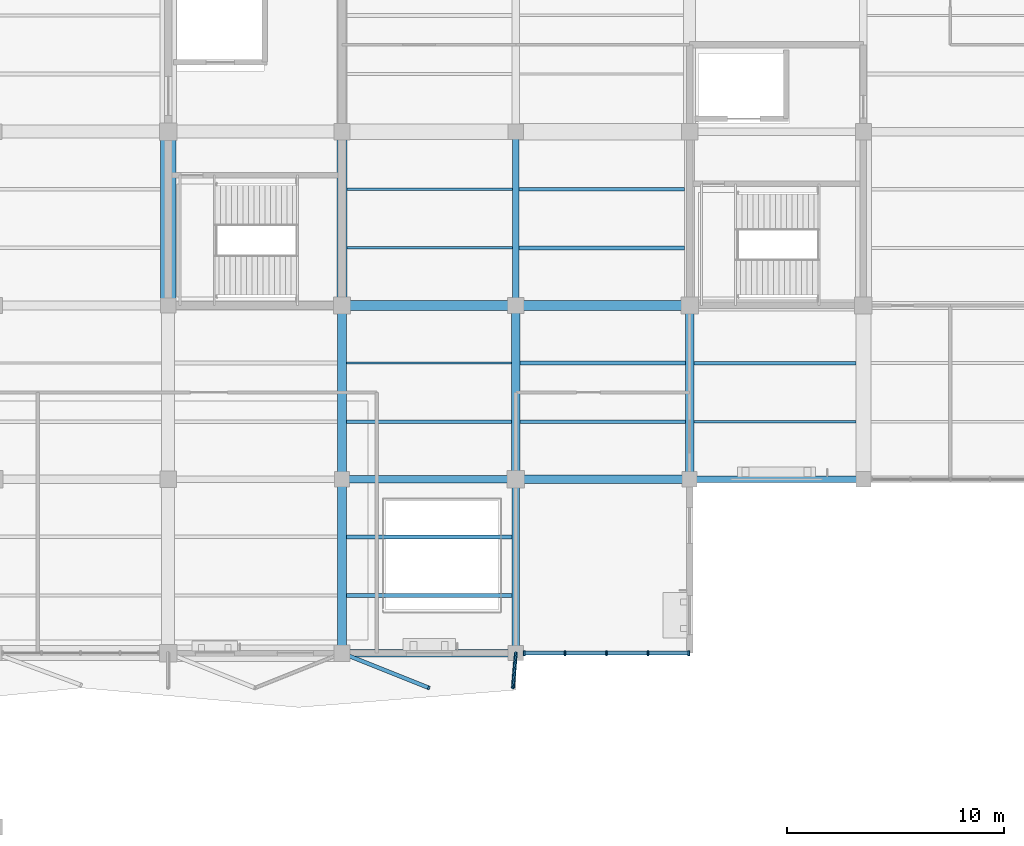
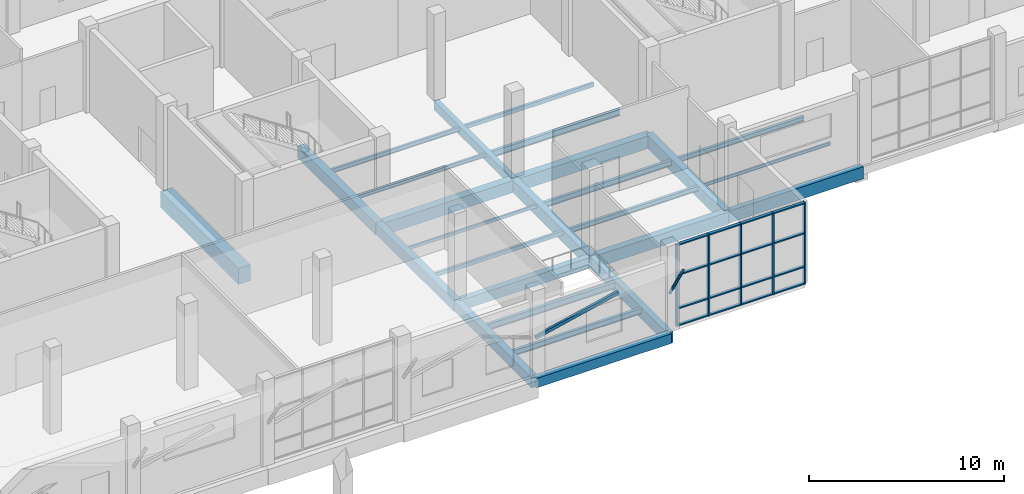
# One storey, part 34 of 122: 26 beams, 23 members, 1 element without a shape of its own.
"""IFC4 building model written with IfcOpenShell, lengths in metres."""

from ifc_helpers import new_model, si_unit, direction, frame, origin, origin_2d, place, context, subcontext, project, spatial, rectangle, hollow_rectangle, hollow_circle, i_section, extrude, material, material_profile, profile_set, type_object, element, aggregate, save


model = new_model("IFC4")

# Units and contexts
model_context = context("Model", 3, precision=1e-05, world=origin(), true_north=direction((0.0, 1.0)))
body_context = subcontext(model_context, "Body", "Model", "MODEL_VIEW")
ifc_project = project(units=[si_unit("LENGTHUNIT", "METRE"), si_unit("AREAUNIT", "SQUARE_METRE"), si_unit("VOLUMEUNIT", "CUBIC_METRE"), si_unit("PLANEANGLEUNIT", "RADIAN"), si_unit("MASSUNIT", "GRAM", prefix="KILO")], contexts=[model_context])

# Site, building, storey
site_placement = place(None, origin())
site = spatial("IfcSite", under=ifc_project, at=site_placement, CompositionType="ELEMENT")
building_placement = place(site_placement, origin())
building = spatial("IfcBuilding", under=site, at=building_placement, Name="Tenunan Teduh Sports Hall", CompositionType="ELEMENT")
storey_placement = place(building_placement, frame((0.0, 0.0, 5.39990234375)))
storey = spatial("IfcBuildingStorey", under=building, at=storey_placement, Name="L01", CompositionType="ELEMENT", Elevation=5.39990234375)

# Beams
ifc_material_1 = material(Name="Concrete C40/50", Category="concrete")
ifc_material_profile_1 = material_profile(ifc_material_1, rectangle(XDim=0.300048828125, YDim=0.550048828125, at=origin_2d()), Name="RCB 300x550")
ifc_profile_set_1 = profile_set([ifc_material_profile_1], Name="Concrete C40/50")
beam_type_1 = type_object("IfcBeamType", Name="BM-RC-300x550", PredefinedType="BEAM", material=ifc_profile_set_1)
beam_1_placement = place(storey_placement, frame((46.0, 94.0, -0.534912109375), z_axis=(0.0, 1.0, 0.0), x_axis=(-1.0, 0.0, 0.0)))
element("IfcBeam", 1, at=beam_1_placement, inside=storey, type_object=beam_type_1, Name="BM-B-02-L01-1215", PredefinedType="BEAM", context=body_context, shape_type="SweptSolid", body=[
    extrude(rectangle(XDim=0.300048828125, YDim=0.550048828125, at=origin_2d()), origin(), (0.0, 0.0, 1.0), 8.0),
])
ifc_material_2 = material(Name="Concrete C40/50", Category="concrete")
ifc_material_profile_2 = material_profile(ifc_material_2, rectangle(XDim=0.35009765625, YDim=0.60009765625, at=origin_2d()), Name="RCB 350x600")
ifc_profile_set_2 = profile_set([ifc_material_profile_2], Name="Concrete C40/50")
beam_type_2 = type_object("IfcBeamType", Name="BM-RC-350x600", PredefinedType="BEAM", material=ifc_profile_set_2)
beam_2_placement = place(storey_placement, frame((38.0, 78.0, -0.559814453125), z_axis=(1.0, 0.0, 0.0), x_axis=(0.0, 1.0, 0.0)))
element("IfcBeam", 2, at=beam_2_placement, inside=storey, type_object=beam_type_2, Name="BM-B-04-L01-1100", PredefinedType="BEAM", context=body_context, shape_type="SweptSolid", body=[
    extrude(rectangle(XDim=0.35009765625, YDim=0.60009765625, at=origin_2d()), origin(), (0.0, 0.0, 1.0), 8.0),
])
ifc_material_3 = material(Name="Concrete C40/50", Category="concrete")
ifc_material_profile_3 = material_profile(ifc_material_3, rectangle(XDim=0.35009765625, YDim=0.64990234375, at=origin_2d()), Name="RCB 350x650")
ifc_profile_set_3 = profile_set([ifc_material_profile_3], Name="Concrete C40/50")
beam_type_3 = type_object("IfcBeamType", Name="BM-RC-350x650", PredefinedType="BEAM", material=ifc_profile_set_3)
beam_3_placement = place(storey_placement, frame((38.0, 86.0, -0.5849609375), z_axis=(1.0, 0.0, 0.0), x_axis=(0.0, 1.0, 0.0)))
element("IfcBeam", 3, at=beam_3_placement, inside=storey, type_object=beam_type_3, Name="BM-B-05-L01-1109", PredefinedType="BEAM", context=body_context, shape_type="SweptSolid", body=[
    extrude(rectangle(XDim=0.35009765625, YDim=0.64990234375, at=origin_2d()), origin(), (0.0, 0.0, 1.0), 8.0),
])
ifc_material_4 = material(Name="Concrete C40/50", Category="concrete")
ifc_material_profile_4 = material_profile(ifc_material_4, rectangle(XDim=0.39990234375, YDim=0.64990234375, at=origin_2d()), Name="RCB 400x650")
ifc_profile_set_4 = profile_set([ifc_material_profile_4], Name="Concrete C40/50")
beam_type_4 = type_object("IfcBeamType", Name="BM-RC-400x650", PredefinedType="BEAM", material=ifc_profile_set_4)
beam_4_placement = place(storey_placement, frame((38.0, 78.0, -0.5849609375), z_axis=(0.0, 1.0, 0.0), x_axis=(-1.0, 0.0, 0.0)))
element("IfcBeam", 4, at=beam_4_placement, inside=storey, type_object=beam_type_4, Name="BM-B-07-L01-1208", PredefinedType="BEAM", context=body_context, shape_type="SweptSolid", body=[
    extrude(rectangle(XDim=0.39990234375, YDim=0.64990234375, at=origin_2d()), origin(), (0.0, 0.0, 1.0), 8.0),
])
ifc_material_5 = material(Name="Concrete C40/50", Category="concrete")
ifc_material_profile_5 = material_profile(ifc_material_5, rectangle(XDim=0.39990234375, YDim=0.699951171875, at=origin_2d()), Name="RCB 400x700")
ifc_profile_set_5 = profile_set([ifc_material_profile_5], Name="Concrete C40/50")
beam_type_5 = type_object("IfcBeamType", Name="BM-RC-400x700", PredefinedType="BEAM", material=ifc_profile_set_5)
beam_5_placement = place(storey_placement, frame((38.0, 86.0, -0.60986328125), z_axis=(0.0, 1.0, 0.0), x_axis=(-1.0, 0.0, 0.0)))
element("IfcBeam", 5, at=beam_5_placement, inside=storey, type_object=beam_type_5, Name="BM-B-08-L01-1209", PredefinedType="BEAM", context=body_context, shape_type="SweptSolid", body=[
    extrude(rectangle(XDim=0.39990234375, YDim=0.699951171875, at=origin_2d()), origin(), (0.0, 0.0, 1.0), 8.0),
])
ifc_material_6 = material(Name="Concrete C40/50", Category="concrete")
ifc_material_profile_6 = material_profile(ifc_material_6, rectangle(XDim=0.39990234375, YDim=0.75, at=origin_2d()), Name="RCB 400x750")
ifc_profile_set_6 = profile_set([ifc_material_profile_6], Name="Concrete C40/50")
beam_type_6 = type_object("IfcBeamType", Name="BM-RC-400x750", PredefinedType="BEAM", material=ifc_profile_set_6)
beam_6_placement = place(storey_placement, frame((46.0, 86.0, -0.635009765625), z_axis=(1.0, 0.0, 0.0), x_axis=(0.0, 1.0, 0.0)))
element("IfcBeam", 6, at=beam_6_placement, inside=storey, type_object=beam_type_6, Name="BM-B-09-L01-1110", PredefinedType="BEAM", context=body_context, shape_type="SweptSolid", body=[
    extrude(rectangle(XDim=0.39990234375, YDim=0.75, at=origin_2d()), origin(), (0.0, 0.0, 1.0), 8.0),
])
ifc_material_7 = material(Name="Concrete C40/50", Category="concrete")
ifc_material_profile_7 = material_profile(ifc_material_7, rectangle(XDim=0.39990234375, YDim=0.800048828125, at=origin_2d()), Name="RCB 400x800")
ifc_profile_set_7 = profile_set([ifc_material_profile_7], Name="Concrete C40/50")
beam_type_7 = type_object("IfcBeamType", Name="BM-RC-400x800", PredefinedType="BEAM", material=ifc_profile_set_7)
beam_7_placement = place(storey_placement, frame((54.0, 86.0, -0.659912109375), z_axis=(0.0, 1.0, 0.0), x_axis=(-1.0, 0.0, 0.0)))
element("IfcBeam", 7, at=beam_7_placement, inside=storey, type_object=beam_type_7, Name="BM-B-10-L01-1222", PredefinedType="BEAM", context=body_context, shape_type="SweptSolid", body=[
    extrude(rectangle(XDim=0.39990234375, YDim=0.800048828125, at=origin_2d()), origin(), (0.0, 0.0, 1.0), 8.0),
])
ifc_material_8 = material(Name="Concrete C40/50", Category="concrete")
ifc_material_profile_8 = material_profile(ifc_material_8, rectangle(XDim=0.449951171875, YDim=0.75, at=origin_2d()), Name="RCB 450x750")
ifc_profile_set_8 = profile_set([ifc_material_profile_8], Name="Concrete C40/50")
beam_type_8 = type_object("IfcBeamType", Name="BM-RC-450x750", PredefinedType="BEAM", material=ifc_profile_set_8)
for number, where, z_axis, x_axis, name in (
    (8, (38.0, 94.0, -0.635009765625), (1.0, 0.0, 0.0), (0.0, 1.0, 0.0), "BM-B-11-L01-1125"),
    (9, (38.0, 94.0, -0.635009765625), (0.0, 1.0, 0.0), (-1.0, 0.0, 0.0), "BM-B-11-L01-1210"),
):
    element("IfcBeam", number, at=place(storey_placement, frame(where, z_axis=z_axis, x_axis=x_axis)), inside=storey, type_object=beam_type_8, Name=name, PredefinedType="BEAM", context=body_context, shape_type="SweptSolid", body=[
        extrude(rectangle(XDim=0.449951171875, YDim=0.75, at=origin_2d()), origin(), (0.0, 0.0, 1.0), 8.0),
    ])
ifc_material_9 = material(Name="Concrete C40/50", Category="concrete")
ifc_material_profile_9 = material_profile(ifc_material_9, rectangle(XDim=0.449951171875, YDim=0.800048828125, at=origin_2d()), Name="RCB 450x800")
ifc_profile_set_9 = profile_set([ifc_material_profile_9], Name="Concrete C40/50")
beam_type_9 = type_object("IfcBeamType", Name="BM-RC-450x800", PredefinedType="BEAM", material=ifc_profile_set_9)
beam_8_placement = place(storey_placement, frame((46.0, 94.0, -0.659912109375), z_axis=(1.0, 0.0, 0.0), x_axis=(0.0, 1.0, 0.0)))
element("IfcBeam", 10, at=beam_8_placement, inside=storey, type_object=beam_type_9, Name="BM-B-12-L01-1126", PredefinedType="BEAM", context=body_context, shape_type="SweptSolid", body=[
    extrude(rectangle(XDim=0.449951171875, YDim=0.800048828125, at=origin_2d()), origin(), (0.0, 0.0, 1.0), 8.0),
])
ifc_material_10 = material(Name="Concrete C40/50", Category="concrete")
ifc_material_profile_10 = material_profile(ifc_material_10, rectangle(XDim=0.699951171875, YDim=1.0, at=origin_2d()), Name="RCB 700x1000")
ifc_profile_set_10 = profile_set([ifc_material_profile_10], Name="Concrete C40/50")
beam_type_10 = type_object("IfcBeamType", Name="BM-RC-700x1000", PredefinedType="SPANDREL", material=ifc_profile_set_10)
beam_9_placement = place(storey_placement, frame((30.0, 94.0, -0.760009765625), z_axis=(0.0, 1.0, 0.0), x_axis=(-1.0, 0.0, 0.0)))
element("IfcBeam", 11, at=beam_9_placement, inside=storey, type_object=beam_type_10, Name="BM-B-19-L01-1205", PredefinedType="SPANDREL", context=body_context, shape_type="SweptSolid", body=[
    extrude(rectangle(XDim=0.699951171875, YDim=1.0, at=origin_2d()), origin(), (0.0, 0.0, 1.0), 8.0),
])
ifc_material_11 = material(Name="Concrete C40/50", Category="concrete")
ifc_material_profile_11 = material_profile(ifc_material_11, rectangle(XDim=0.300048828125, YDim=0.75, at=origin_2d()), Name="SPB 300x750")
ifc_profile_set_11 = profile_set([ifc_material_profile_11], Name="Concrete C40/50")
beam_type_11 = type_object("IfcBeamType", Name="BM-SP-300x750", PredefinedType="SPANDREL", material=ifc_profile_set_11)
beam_10_placement = place(storey_placement, frame((54.0, 86.0, -0.635009765625), z_axis=(1.0, 0.0, 0.0), x_axis=(0.0, 1.0, 0.0)))
element("IfcBeam", 12, at=beam_10_placement, inside=storey, type_object=beam_type_11, Name="BM-SP-01-L01-1111", PredefinedType="SPANDREL", context=body_context, shape_type="SweptSolid", body=[
    extrude(rectangle(XDim=0.300048828125, YDim=0.75, at=origin_2d()), origin(), (0.0, 0.0, 1.0), 8.0),
])
ifc_material_12 = material(Name="Concrete C40/50", Category="concrete")
ifc_material_profile_12 = material_profile(ifc_material_12, rectangle(XDim=0.35009765625, YDim=0.719970703125, at=origin_2d()), Name="TB 350x720")
ifc_profile_set_12 = profile_set([ifc_material_profile_12], Name="Concrete C40/50")
beam_type_12 = type_object("IfcBeamType", Name="BM-TB-350x720", PredefinedType="T_BEAM", material=ifc_profile_set_12)
beam_11_placement = place(storey_placement, frame((46.0, 78.0, -0.619873046875), z_axis=(0.0, 1.0, 0.0), x_axis=(-1.0, 0.0, 0.0)))
element("IfcBeam", 13, at=beam_11_placement, inside=storey, type_object=beam_type_12, Name="BM-TB-01-L01-1213", PredefinedType="T_BEAM", context=body_context, shape_type="SweptSolid", body=[
    extrude(rectangle(XDim=0.35009765625, YDim=0.719970703125, at=origin_2d()), origin(), (0.0, 0.0, 1.0), 8.0),
])
ifc_material_13 = material(Name="Concrete C40/50", Category="concrete")
ifc_material_profile_13 = material_profile(ifc_material_13, rectangle(XDim=0.39990234375, YDim=0.780029296875, at=origin_2d()), Name="TB 400x780")
ifc_profile_set_13 = profile_set([ifc_material_profile_13], Name="Concrete C40/50")
beam_type_13 = type_object("IfcBeamType", Name="BM-TB-400x780", PredefinedType="T_BEAM", material=ifc_profile_set_13)
beam_12_placement = place(storey_placement, frame((46.0, 86.0, -0.64990234375), z_axis=(0.0, 1.0, 0.0), x_axis=(-1.0, 0.0, 0.0)))
element("IfcBeam", 14, at=beam_12_placement, inside=storey, type_object=beam_type_13, Name="BM-TB-02-L01-1214", PredefinedType="T_BEAM", context=body_context, shape_type="SweptSolid", body=[
    extrude(rectangle(XDim=0.39990234375, YDim=0.780029296875, at=origin_2d()), origin(), (0.0, 0.0, 1.0), 8.0),
])

# Curtain wall, members
ifc_material_14 = material(Name="Anodised aluminium", Category="aluminium")
curtain_wall_type = type_object("IfcCurtainWallType", Name="CW-UNIT-1", PredefinedType="NOTDEFINED", material=ifc_material_14)
curtain_wall_placement = place(storey_placement, origin())
curtain_wall = element("IfcCurtainWall", 15, at=curtain_wall_placement, inside=storey, type_object=curtain_wall_type, Name="CW-CWM-220-L01-201", PredefinedType="NOTDEFINED")
ifc_material_15 = material(Name="Anodised aluminium", Category="aluminium")
ifc_material_profile_14 = material_profile(ifc_material_15, rectangle(XDim=0.074951171875, YDim=0.219970703125, at=origin_2d()), Name="CWM 75x220")
ifc_profile_set_14 = profile_set([ifc_material_profile_14], Name="Anodised aluminium")
member_type_1 = type_object("IfcMemberType", Name="CWM-220", PredefinedType="MULLION", material=ifc_profile_set_14)
member_1_placement = place(storey_placement, frame((46.387451171875, 78.0, 0.0), z_axis=(0.0, 0.0, 1.0), x_axis=(1.0, 0.0, 0.0)))
member_1 = element("IfcMember", 16, at=member_1_placement, type_object=member_type_1, Name="CW-01 mullion 1", PredefinedType="MULLION", context=body_context, shape_type="SweptSolid", body=[
    extrude(rectangle(XDim=0.074951171875, YDim=0.219970703125, at=origin_2d()), origin(), (0.0, 0.0, 1.0), 5.1201171875),
])
member_2_placement = place(storey_placement, frame((48.262451171875, 78.0, 0.0), z_axis=(0.0, 0.0, 1.0), x_axis=(1.0, 0.0, 0.0)))
member_2 = element("IfcMember", 17, at=member_2_placement, type_object=member_type_1, Name="CW-01 mullion 2", PredefinedType="MULLION", context=body_context, shape_type="SweptSolid", body=[
    extrude(rectangle(XDim=0.074951171875, YDim=0.219970703125, at=origin_2d()), origin(), (0.0, 0.0, 1.0), 5.1201171875),
])
member_3_placement = place(storey_placement, frame((50.175048828125, 78.0, 0.0), z_axis=(0.0, 0.0, 1.0), x_axis=(1.0, 0.0, 0.0)))
member_3 = element("IfcMember", 18, at=member_3_placement, type_object=member_type_1, Name="CW-01 mullion 3", PredefinedType="MULLION", context=body_context, shape_type="SweptSolid", body=[
    extrude(rectangle(XDim=0.074951171875, YDim=0.219970703125, at=origin_2d()), origin(), (0.0, 0.0, 1.0), 5.1201171875),
])
member_4_placement = place(storey_placement, frame((52.08740234375, 78.0, 0.0), z_axis=(0.0, 0.0, 1.0), x_axis=(1.0, 0.0, 0.0)))
member_4 = element("IfcMember", 19, at=member_4_placement, type_object=member_type_1, Name="CW-01 mullion 4", PredefinedType="MULLION", context=body_context, shape_type="SweptSolid", body=[
    extrude(rectangle(XDim=0.074951171875, YDim=0.219970703125, at=origin_2d()), origin(), (0.0, 0.0, 1.0), 5.1201171875),
])
member_5_placement = place(storey_placement, frame((53.96240234375, 78.0, 0.0), z_axis=(0.0, 0.0, 1.0), x_axis=(1.0, 0.0, 0.0)))
member_5 = element("IfcMember", 20, at=member_5_placement, type_object=member_type_1, Name="CW-01 mullion 5", PredefinedType="MULLION", context=body_context, shape_type="SweptSolid", body=[
    extrude(rectangle(XDim=0.074951171875, YDim=0.219970703125, at=origin_2d()), origin(), (0.0, 0.0, 1.0), 5.1201171875),
])
ifc_material_16 = material(Name="Anodised aluminium", Category="aluminium")
ifc_material_profile_15 = material_profile(ifc_material_16, rectangle(XDim=0.074951171875, YDim=0.179931640625, at=origin_2d()), Name="CWT 75x180")
ifc_profile_set_15 = profile_set([ifc_material_profile_15], Name="Anodised aluminium")
member_type_2 = type_object("IfcMemberType", Name="CWT-180", PredefinedType="USERDEFINED", material=ifc_profile_set_15)
member_6_placement = place(storey_placement, frame((46.425048828125, 78.0, 0.03759765625), z_axis=(1.0, 0.0, 0.0), x_axis=(0.0, 0.0, 1.0)))
member_6 = element("IfcMember", 21, at=member_6_placement, type_object=member_type_2, Name="CW-01 transom 1.1", ObjectType="TRANSOM", PredefinedType="USERDEFINED", context=body_context, shape_type="SweptSolid", body=[
    extrude(rectangle(XDim=0.074951171875, YDim=0.179931640625, at=origin_2d()), origin(), (0.0, 0.0, 1.0), 1.800048828125),
])
member_7_placement = place(storey_placement, frame((46.425048828125, 78.0, 1.10009765625), z_axis=(1.0, 0.0, 0.0), x_axis=(0.0, 0.0, 1.0)))
member_7 = element("IfcMember", 22, at=member_7_placement, type_object=member_type_2, Name="CW-01 transom 1.2", ObjectType="TRANSOM", PredefinedType="USERDEFINED", context=body_context, shape_type="SweptSolid", body=[
    extrude(rectangle(XDim=0.074951171875, YDim=0.179931640625, at=origin_2d()), origin(), (0.0, 0.0, 1.0), 1.800048828125),
])
member_8_placement = place(storey_placement, frame((46.425048828125, 78.0, 3.2001953125), z_axis=(1.0, 0.0, 0.0), x_axis=(0.0, 0.0, 1.0)))
member_8 = element("IfcMember", 23, at=member_8_placement, type_object=member_type_2, Name="CW-01 transom 1.3", ObjectType="TRANSOM", PredefinedType="USERDEFINED", context=body_context, shape_type="SweptSolid", body=[
    extrude(rectangle(XDim=0.074951171875, YDim=0.179931640625, at=origin_2d()), origin(), (0.0, 0.0, 1.0), 1.800048828125),
])
member_9_placement = place(storey_placement, frame((46.425048828125, 78.0, 5.08251953125), z_axis=(1.0, 0.0, 0.0), x_axis=(0.0, 0.0, 1.0)))
member_9 = element("IfcMember", 24, at=member_9_placement, type_object=member_type_2, Name="CW-01 transom 1.4", ObjectType="TRANSOM", PredefinedType="USERDEFINED", context=body_context, shape_type="SweptSolid", body=[
    extrude(rectangle(XDim=0.074951171875, YDim=0.179931640625, at=origin_2d()), origin(), (0.0, 0.0, 1.0), 1.800048828125),
])
member_10_placement = place(storey_placement, frame((48.300048828125, 78.0, 0.03759765625), z_axis=(1.0, 0.0, 0.0), x_axis=(0.0, 0.0, 1.0)))
member_10 = element("IfcMember", 25, at=member_10_placement, type_object=member_type_2, Name="CW-01 transom 2.1", ObjectType="TRANSOM", PredefinedType="USERDEFINED", context=body_context, shape_type="SweptSolid", body=[
    extrude(rectangle(XDim=0.074951171875, YDim=0.179931640625, at=origin_2d()), origin(), (0.0, 0.0, 1.0), 1.83740234375),
])
member_11_placement = place(storey_placement, frame((48.300048828125, 78.0, 1.10009765625), z_axis=(1.0, 0.0, 0.0), x_axis=(0.0, 0.0, 1.0)))
member_11 = element("IfcMember", 26, at=member_11_placement, type_object=member_type_2, Name="CW-01 transom 2.2", ObjectType="TRANSOM", PredefinedType="USERDEFINED", context=body_context, shape_type="SweptSolid", body=[
    extrude(rectangle(XDim=0.074951171875, YDim=0.179931640625, at=origin_2d()), origin(), (0.0, 0.0, 1.0), 1.83740234375),
])
member_12_placement = place(storey_placement, frame((48.300048828125, 78.0, 3.2001953125), z_axis=(1.0, 0.0, 0.0), x_axis=(0.0, 0.0, 1.0)))
member_12 = element("IfcMember", 27, at=member_12_placement, type_object=member_type_2, Name="CW-01 transom 2.3", ObjectType="TRANSOM", PredefinedType="USERDEFINED", context=body_context, shape_type="SweptSolid", body=[
    extrude(rectangle(XDim=0.074951171875, YDim=0.179931640625, at=origin_2d()), origin(), (0.0, 0.0, 1.0), 1.83740234375),
])
member_13_placement = place(storey_placement, frame((48.300048828125, 78.0, 5.08251953125), z_axis=(1.0, 0.0, 0.0), x_axis=(0.0, 0.0, 1.0)))
member_13 = element("IfcMember", 28, at=member_13_placement, type_object=member_type_2, Name="CW-01 transom 2.4", ObjectType="TRANSOM", PredefinedType="USERDEFINED", context=body_context, shape_type="SweptSolid", body=[
    extrude(rectangle(XDim=0.074951171875, YDim=0.179931640625, at=origin_2d()), origin(), (0.0, 0.0, 1.0), 1.83740234375),
])
member_14_placement = place(storey_placement, frame((50.21240234375, 78.0, 0.03759765625), z_axis=(1.0, 0.0, 0.0), x_axis=(0.0, 0.0, 1.0)))
member_14 = element("IfcMember", 29, at=member_14_placement, type_object=member_type_2, Name="CW-01 transom 3.1", ObjectType="TRANSOM", PredefinedType="USERDEFINED", context=body_context, shape_type="SweptSolid", body=[
    extrude(rectangle(XDim=0.074951171875, YDim=0.179931640625, at=origin_2d()), origin(), (0.0, 0.0, 1.0), 1.837646484375),
])
member_15_placement = place(storey_placement, frame((50.21240234375, 78.0, 1.10009765625), z_axis=(1.0, 0.0, 0.0), x_axis=(0.0, 0.0, 1.0)))
member_15 = element("IfcMember", 30, at=member_15_placement, type_object=member_type_2, Name="CW-01 transom 3.2", ObjectType="TRANSOM", PredefinedType="USERDEFINED", context=body_context, shape_type="SweptSolid", body=[
    extrude(rectangle(XDim=0.074951171875, YDim=0.179931640625, at=origin_2d()), origin(), (0.0, 0.0, 1.0), 1.837646484375),
])
member_16_placement = place(storey_placement, frame((50.21240234375, 78.0, 3.2001953125), z_axis=(1.0, 0.0, 0.0), x_axis=(0.0, 0.0, 1.0)))
member_16 = element("IfcMember", 31, at=member_16_placement, type_object=member_type_2, Name="CW-01 transom 3.3", ObjectType="TRANSOM", PredefinedType="USERDEFINED", context=body_context, shape_type="SweptSolid", body=[
    extrude(rectangle(XDim=0.074951171875, YDim=0.179931640625, at=origin_2d()), origin(), (0.0, 0.0, 1.0), 1.837646484375),
])
member_17_placement = place(storey_placement, frame((50.21240234375, 78.0, 5.08251953125), z_axis=(1.0, 0.0, 0.0), x_axis=(0.0, 0.0, 1.0)))
member_17 = element("IfcMember", 32, at=member_17_placement, type_object=member_type_2, Name="CW-01 transom 3.4", ObjectType="TRANSOM", PredefinedType="USERDEFINED", context=body_context, shape_type="SweptSolid", body=[
    extrude(rectangle(XDim=0.074951171875, YDim=0.179931640625, at=origin_2d()), origin(), (0.0, 0.0, 1.0), 1.837646484375),
])
member_18_placement = place(storey_placement, frame((52.125, 78.0, 0.03759765625), z_axis=(1.0, 0.0, 0.0), x_axis=(0.0, 0.0, 1.0)))
member_18 = element("IfcMember", 33, at=member_18_placement, type_object=member_type_2, Name="CW-01 transom 4.1", ObjectType="TRANSOM", PredefinedType="USERDEFINED", context=body_context, shape_type="SweptSolid", body=[
    extrude(rectangle(XDim=0.074951171875, YDim=0.179931640625, at=origin_2d()), origin(), (0.0, 0.0, 1.0), 1.800048828125),
])
member_19_placement = place(storey_placement, frame((52.125, 78.0, 1.10009765625), z_axis=(1.0, 0.0, 0.0), x_axis=(0.0, 0.0, 1.0)))
member_19 = element("IfcMember", 34, at=member_19_placement, type_object=member_type_2, Name="CW-01 transom 4.2", ObjectType="TRANSOM", PredefinedType="USERDEFINED", context=body_context, shape_type="SweptSolid", body=[
    extrude(rectangle(XDim=0.074951171875, YDim=0.179931640625, at=origin_2d()), origin(), (0.0, 0.0, 1.0), 1.800048828125),
])
member_20_placement = place(storey_placement, frame((52.125, 78.0, 3.2001953125), z_axis=(1.0, 0.0, 0.0), x_axis=(0.0, 0.0, 1.0)))
member_20 = element("IfcMember", 35, at=member_20_placement, type_object=member_type_2, Name="CW-01 transom 4.3", ObjectType="TRANSOM", PredefinedType="USERDEFINED", context=body_context, shape_type="SweptSolid", body=[
    extrude(rectangle(XDim=0.074951171875, YDim=0.179931640625, at=origin_2d()), origin(), (0.0, 0.0, 1.0), 1.800048828125),
])
member_21_placement = place(storey_placement, frame((52.125, 78.0, 5.08251953125), z_axis=(1.0, 0.0, 0.0), x_axis=(0.0, 0.0, 1.0)))
member_21 = element("IfcMember", 36, at=member_21_placement, type_object=member_type_2, Name="CW-01 transom 4.4", ObjectType="TRANSOM", PredefinedType="USERDEFINED", context=body_context, shape_type="SweptSolid", body=[
    extrude(rectangle(XDim=0.074951171875, YDim=0.179931640625, at=origin_2d()), origin(), (0.0, 0.0, 1.0), 1.800048828125),
])
aggregate(curtain_wall, [member_1, member_2, member_3, member_4, member_5, member_6, member_7, member_8, member_9, member_10, member_11, member_12, member_13, member_14, member_15, member_16, member_17, member_18, member_19, member_20, member_21])

# Beams
ifc_material_17 = material(Name="Steel S355", Category="steel")
ifc_material_profile_16 = material_profile(ifc_material_17, i_section(OverallWidth=0.10009765625, OverallDepth=0.199951171875, WebThickness=0.005615234375, FlangeThickness=0.008544921875, FilletRadius=0.011962890625, at=origin_2d()), Name="IPE 200")
ifc_profile_set_16 = profile_set([ifc_material_profile_16], Name="Steel S355")
beam_type_14 = type_object("IfcBeamType", Name="JST-IPE200", PredefinedType="JOIST", material=ifc_profile_set_16)
beam_13_placement = place(storey_placement, frame((54.199951171875, 88.64990234375, -0.35986328125), z_axis=(1.0, 0.0, 0.0), x_axis=(0.0, 1.0, 0.0)))
element("IfcBeam", 37, at=beam_13_placement, inside=storey, type_object=beam_type_14, Name="BM-J-01-L01-1358", PredefinedType="JOIST", context=body_context, shape_type="SweptSolid", body=[
    extrude(i_section(OverallWidth=0.10009765625, OverallDepth=0.199951171875, WebThickness=0.005615234375, FlangeThickness=0.008544921875, FilletRadius=0.011962890625, at=origin_2d()), origin(), (0.0, 0.0, 1.0), 7.449951171875),
])
ifc_material_18 = material(Name="Steel S355", Category="steel")
ifc_material_profile_17 = material_profile(ifc_material_18, i_section(OverallWidth=0.1201171875, OverallDepth=0.239990234375, WebThickness=0.006103515625, FlangeThickness=0.009765625, FilletRadius=0.014892578125, at=origin_2d()), Name="IPE 240")
ifc_profile_set_17 = profile_set([ifc_material_profile_17], Name="Steel S355")
beam_type_15 = type_object("IfcBeamType", Name="JST-IPE240", PredefinedType="JOIST", material=ifc_profile_set_17)
beam_14_placement = place(storey_placement, frame((38.22509765625, 96.64990234375, -0.3798828125), z_axis=(1.0, 0.0, 0.0), x_axis=(0.0, 1.0, 0.0)))
element("IfcBeam", 38, at=beam_14_placement, inside=storey, type_object=beam_type_15, Name="BM-J-02-L01-1342", PredefinedType="JOIST", context=body_context, shape_type="SweptSolid", body=[
    extrude(i_section(OverallWidth=0.1201171875, OverallDepth=0.239990234375, WebThickness=0.006103515625, FlangeThickness=0.009765625, FilletRadius=0.014892578125, at=origin_2d()), origin(), (0.0, 0.0, 1.0), 7.625),
])
ifc_material_19 = material(Name="Steel S355", Category="steel")
ifc_material_profile_18 = material_profile(ifc_material_19, i_section(OverallWidth=0.135009765625, OverallDepth=0.27001953125, WebThickness=0.006591796875, FlangeThickness=0.01025390625, FilletRadius=0.014892578125, at=origin_2d()), Name="IPE 270")
ifc_profile_set_18 = profile_set([ifc_material_profile_18], Name="Steel S355")
beam_type_16 = type_object("IfcBeamType", Name="JST-IPE270", PredefinedType="JOIST", material=ifc_profile_set_18)
beam_15_placement = place(storey_placement, frame((38.22509765625, 99.35009765625, -0.39501953125), z_axis=(1.0, 0.0, 0.0), x_axis=(0.0, 1.0, 0.0)))
element("IfcBeam", 39, at=beam_15_placement, inside=storey, type_object=beam_type_16, Name="BM-J-03-L01-1343", PredefinedType="JOIST", context=body_context, shape_type="SweptSolid", body=[
    extrude(i_section(OverallWidth=0.135009765625, OverallDepth=0.27001953125, WebThickness=0.006591796875, FlangeThickness=0.01025390625, FilletRadius=0.014892578125, at=origin_2d()), origin(), (0.0, 0.0, 1.0), 7.625),
])

# Members
ifc_material_20 = material(Name="Steel S355", Category="steel")
ifc_material_profile_19 = material_profile(ifc_material_20, hollow_circle(Radius=0.084228515625, WallThickness=0.008056640625, at=origin_2d()), Name="CHS 168.3x8.0")
ifc_profile_set_19 = profile_set([ifc_material_profile_19], Name="Steel S355")
member_type_3 = type_object("IfcMemberType", Name="MEM-BR-CHS168", PredefinedType="BRACE", material=ifc_profile_set_19)
member_22_placement = place(storey_placement, frame((46.0, 78.0, 2.2001953125), z_axis=(-0.044895305752, -0.546169960201, 0.836470433485), x_axis=(0.996638584631, -0.081923938044, 0.0)))
element("IfcMember", 40, at=member_22_placement, inside=storey, type_object=member_type_3, Name="MEM-GD-04-L01-1197", PredefinedType="BRACE", context=body_context, shape_type="SweptSolid", body=[
    extrude(hollow_circle(Radius=0.084228515625, WallThickness=0.008056640625, at=origin_2d()), origin(), (0.0, 0.0, 1.0), 2.89306640625),
])
ifc_material_21 = material(Name="Steel S355", Category="steel")
ifc_material_profile_20 = material_profile(ifc_material_21, hollow_rectangle(XDim=0.179931640625, YDim=0.179931640625, WallThickness=0.010009765625, at=origin_2d()), Name="SHS 180x180x10.0")
ifc_profile_set_20 = profile_set([ifc_material_profile_20], Name="Steel S355")
member_type_4 = type_object("IfcMemberType", Name="MEM-ST-SHS180", PredefinedType="STRUT", material=ifc_profile_set_20)
member_23_placement = place(storey_placement, frame((38.0, 78.0, 2.2001953125), z_axis=(0.809505416952, -0.323821930097, 0.489734966603), x_axis=(0.37141021739, 0.928468874232, 0.0)))
element("IfcMember", 41, at=member_23_placement, inside=storey, type_object=member_type_4, Name="MEM-VS-03-L01-1196", PredefinedType="STRUT", context=body_context, shape_type="SweptSolid", body=[
    extrude(hollow_rectangle(XDim=0.179931640625, YDim=0.179931640625, WallThickness=0.010009765625, at=origin_2d()), origin(), (0.0, 0.0, 1.0), 4.94140625),
])

# Beams
ifc_material_22 = material(Name="Steel S355", Category="steel")
ifc_material_profile_21 = material_profile(ifc_material_22, hollow_rectangle(XDim=0.10009765625, YDim=0.199951171875, WallThickness=0.008056640625, at=origin_2d()), Name="RHS 200x100x8.0")
ifc_profile_set_21 = profile_set([ifc_material_profile_21], Name="Steel S355")
beam_type_17 = type_object("IfcBeamType", Name="RBM-RHS200", PredefinedType="JOIST", material=ifc_profile_set_21)
beam_16_placement = place(storey_placement, frame((38.199951171875, 91.35009765625, -0.35986328125), z_axis=(1.0, 0.0, 0.0), x_axis=(0.0, 1.0, 0.0)))
element("IfcBeam", 42, at=beam_16_placement, inside=storey, type_object=beam_type_17, Name="Perimeter Ring Beam BM-RB-05-L01-1341", PredefinedType="JOIST", context=body_context, shape_type="SweptSolid", body=[
    extrude(hollow_rectangle(XDim=0.10009765625, YDim=0.199951171875, WallThickness=0.008056640625, at=origin_2d()), origin(), (0.0, 0.0, 1.0), 7.60009765625),
])
ifc_material_23 = material(Name="Steel S355", Category="steel")
ifc_material_profile_22 = material_profile(ifc_material_23, hollow_rectangle(XDim=0.14990234375, YDim=0.25, WallThickness=0.010009765625, at=origin_2d()), Name="RHS 250x150x10.0")
ifc_profile_set_22 = profile_set([ifc_material_profile_22], Name="Steel S355")
beam_type_18 = type_object("IfcBeamType", Name="RBM-RHS250", PredefinedType="BEAM", material=ifc_profile_set_22)
beam_17_placement = place(storey_placement, frame((38.199951171875, 88.64990234375, -0.385009765625), z_axis=(1.0, 0.0, 0.0), x_axis=(0.0, 1.0, 0.0)))
element("IfcBeam", 43, at=beam_17_placement, inside=storey, type_object=beam_type_18, Name="Perimeter Ring Beam BM-RB-04-L01-1340", PredefinedType="BEAM", context=body_context, shape_type="SweptSolid", body=[
    extrude(hollow_rectangle(XDim=0.14990234375, YDim=0.25, WallThickness=0.010009765625, at=origin_2d()), origin(), (0.0, 0.0, 1.0), 7.60009765625),
])
beam_18_placement = place(storey_placement, frame((46.14990234375, 99.35009765625, -0.385009765625), z_axis=(1.0, 0.0, 0.0), x_axis=(0.0, 1.0, 0.0)))
element("IfcBeam", 44, at=beam_18_placement, inside=storey, type_object=beam_type_18, Name="Perimeter Ring Beam BM-RB-04-L01-1351", PredefinedType="BEAM", context=body_context, shape_type="SweptSolid", body=[
    extrude(hollow_rectangle(XDim=0.14990234375, YDim=0.25, WallThickness=0.010009765625, at=origin_2d()), origin(), (0.0, 0.0, 1.0), 7.625),
])
ifc_material_24 = material(Name="Steel S355", Category="steel")
ifc_material_profile_23 = material_profile(ifc_material_24, i_section(OverallWidth=0.1650390625, OverallDepth=0.303466796875, WebThickness=0.006103515625, FlangeThickness=0.01025390625, FilletRadius=0.0087890625, at=origin_2d()), Name="UKB 305x165x40")
ifc_profile_set_23 = profile_set([ifc_material_profile_23], Name="Steel S355")
beam_type_19 = type_object("IfcBeamType", Name="SBM-UKB305", PredefinedType="BEAM", material=ifc_profile_set_23)
beam_19_placement = place(storey_placement, frame((46.199951171875, 88.64990234375, -0.41162109375), z_axis=(1.0, 0.0, 0.0), x_axis=(0.0, 1.0, 0.0)))
element("IfcBeam", 45, at=beam_19_placement, inside=storey, type_object=beam_type_19, Name="BM-SB-01-L01-1348", PredefinedType="BEAM", context=body_context, shape_type="SweptSolid", body=[
    extrude(i_section(OverallWidth=0.1650390625, OverallDepth=0.303466796875, WebThickness=0.006103515625, FlangeThickness=0.01025390625, FilletRadius=0.0087890625, at=origin_2d()), origin(), (0.0, 0.0, 1.0), 7.60009765625),
])
beam_20_placement = place(storey_placement, frame((54.199951171875, 91.35009765625, -0.41162109375), z_axis=(1.0, 0.0, 0.0), x_axis=(0.0, 1.0, 0.0)))
element("IfcBeam", 46, at=beam_20_placement, inside=storey, type_object=beam_type_19, Name="BM-SB-01-L01-1359", PredefinedType="BEAM", context=body_context, shape_type="SweptSolid", body=[
    extrude(i_section(OverallWidth=0.1650390625, OverallDepth=0.303466796875, WebThickness=0.006103515625, FlangeThickness=0.01025390625, FilletRadius=0.0087890625, at=origin_2d()), origin(), (0.0, 0.0, 1.0), 7.449951171875),
])
ifc_material_25 = material(Name="Steel S355", Category="steel")
ifc_material_profile_24 = material_profile(ifc_material_25, i_section(OverallWidth=0.17138671875, OverallDepth=0.35498046875, WebThickness=0.00732421875, FlangeThickness=0.011474609375, FilletRadius=0.01025390625, at=origin_2d()), Name="UKB 356x171x51")
ifc_profile_set_24 = profile_set([ifc_material_profile_24], Name="Steel S355")
beam_type_20 = type_object("IfcBeamType", Name="SBM-UKB356", PredefinedType="BEAM", material=ifc_profile_set_24)
beam_21_placement = place(storey_placement, frame((38.199951171875, 80.64990234375, -0.4375), z_axis=(1.0, 0.0, 0.0), x_axis=(0.0, 1.0, 0.0)))
element("IfcBeam", 47, at=beam_21_placement, inside=storey, type_object=beam_type_20, Name="BM-SB-02-L01-1338", PredefinedType="BEAM", context=body_context, shape_type="SweptSolid", body=[
    extrude(i_section(OverallWidth=0.17138671875, OverallDepth=0.35498046875, WebThickness=0.00732421875, FlangeThickness=0.011474609375, FilletRadius=0.01025390625, at=origin_2d()), origin(), (0.0, 0.0, 1.0), 7.625),
])
beam_22_placement = place(storey_placement, frame((46.199951171875, 91.35009765625, -0.4375), z_axis=(1.0, 0.0, 0.0), x_axis=(0.0, 1.0, 0.0)))
element("IfcBeam", 48, at=beam_22_placement, inside=storey, type_object=beam_type_20, Name="BM-SB-02-L01-1349", PredefinedType="BEAM", context=body_context, shape_type="SweptSolid", body=[
    extrude(i_section(OverallWidth=0.17138671875, OverallDepth=0.35498046875, WebThickness=0.00732421875, FlangeThickness=0.011474609375, FilletRadius=0.01025390625, at=origin_2d()), origin(), (0.0, 0.0, 1.0), 7.60009765625),
])
ifc_material_26 = material(Name="Steel S355", Category="steel")
ifc_material_profile_25 = material_profile(ifc_material_26, i_section(OverallWidth=0.177978515625, OverallDepth=0.406494140625, WebThickness=0.0078125, FlangeThickness=0.0126953125, FilletRadius=0.01025390625, at=origin_2d()), Name="UKB 406x178x60")
ifc_profile_set_25 = profile_set([ifc_material_profile_25], Name="Steel S355")
beam_type_21 = type_object("IfcBeamType", Name="SBM-UKB406", PredefinedType="BEAM", material=ifc_profile_set_25)
for number, where, z_axis, x_axis, name in (
    (49, (38.199951171875, 83.35009765625, -0.463134765625), (1.0, 0.0, 0.0), (0.0, 1.0, 0.0), "BM-SB-03-L01-1339"),
    (50, (46.14990234375, 96.64990234375, -0.463134765625), (1.0, 0.0, 0.0), (0.0, 1.0, 0.0), "BM-SB-03-L01-1350"),
):
    element("IfcBeam", number, at=place(storey_placement, frame(where, z_axis=z_axis, x_axis=x_axis)), inside=storey, type_object=beam_type_21, Name=name, PredefinedType="BEAM", context=body_context, shape_type="SweptSolid", body=[
        extrude(i_section(OverallWidth=0.177978515625, OverallDepth=0.406494140625, WebThickness=0.0078125, FlangeThickness=0.0126953125, FilletRadius=0.01025390625, at=origin_2d()), origin(), (0.0, 0.0, 1.0), 7.625),
    ])

save(model, "model.ifc")
